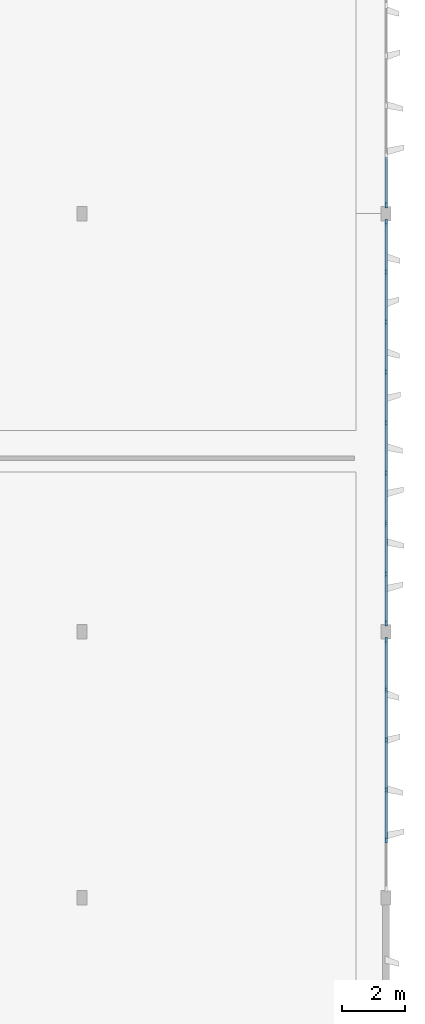
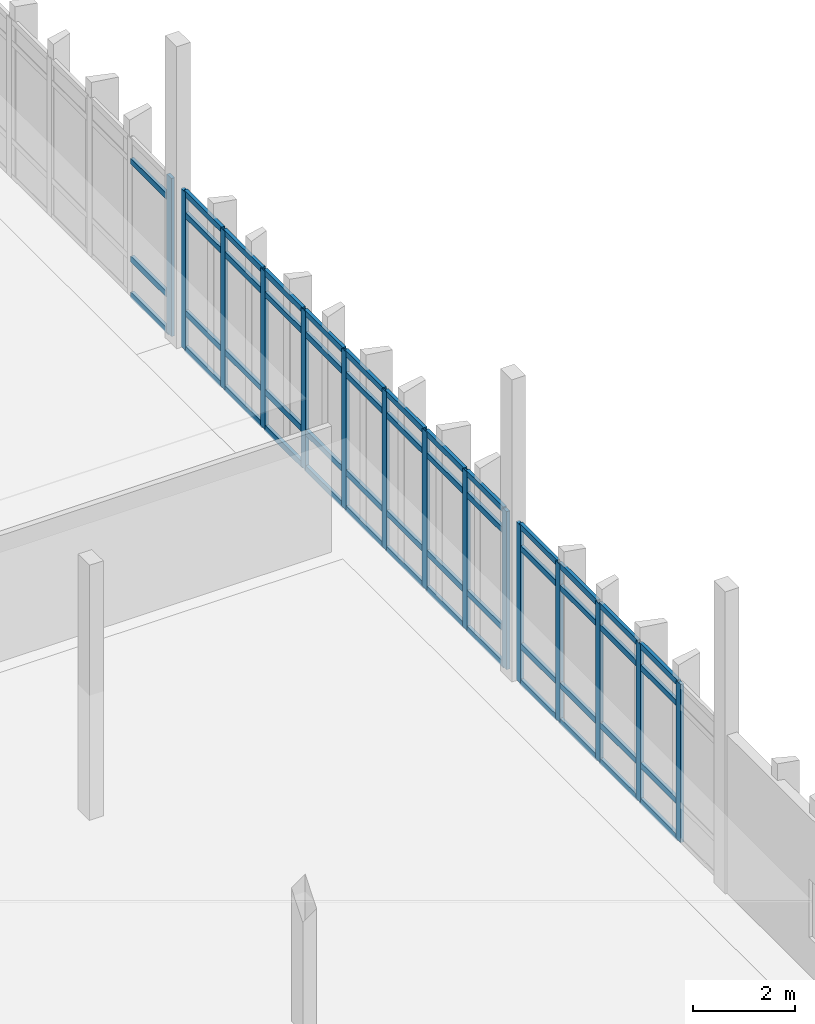
# One storey, part 26 of 61: 66 members, 3 elements without a shape of their own.
"""IFC4 building model written with IfcOpenShell, lengths in metres."""

from ifc_helpers import new_model, si_unit, direction, frame, origin, origin_2d, place, context, subcontext, project, spatial, rectangle, extrude, material, layer, layer_set, material_profile, profile_set, type_object, element, aggregate, save


model = new_model("IFC4")

# Units and contexts
model_context = context("Model", 3, precision=1e-05, world=origin(), true_north=direction((0.0, 1.0)))
body_context = subcontext(model_context, "Body", "Model", "MODEL_VIEW")
ifc_project = project(units=[si_unit("LENGTHUNIT", "METRE"), si_unit("AREAUNIT", "SQUARE_METRE"), si_unit("VOLUMEUNIT", "CUBIC_METRE"), si_unit("PLANEANGLEUNIT", "RADIAN"), si_unit("MASSUNIT", "GRAM", prefix="KILO")], contexts=[model_context])

# Site, building, storey
site_placement = place(None, origin())
site = spatial("IfcSite", under=ifc_project, at=site_placement, CompositionType="ELEMENT")
building_placement = place(site_placement, origin())
building = spatial("IfcBuilding", under=site, at=building_placement, Name="Kolvemor Railside Polytechnic", CompositionType="ELEMENT")
storey_placement = place(building_placement, frame((0.0, 0.0, 10.199951171875)))
storey = spatial("IfcBuildingStorey", under=building, at=storey_placement, Name="L02", CompositionType="ELEMENT", Elevation=10.199951171875)

# Curtain wall, members
ifc_material_1 = material(Name="Anodised marine aluminium and laminated low-E glass", Category="aluminium")
ifc_layer = layer(ifc_material_1, 0.179931640625, Name="CW-UNIT-STD")
ifc_layer_set = layer_set([ifc_layer], Name="Anodised marine aluminium and laminated low-E glass")
curtain_wall_type = type_object("IfcCurtainWallType", Name="CW-UNIT-STD", PredefinedType="USERDEFINED", material=ifc_layer_set)
curtain_wall_1_placement = place(storey_placement, origin())
curtain_wall_1 = element("IfcCurtainWall", 1, at=curtain_wall_1_placement, inside=storey, type_object=curtain_wall_type, Name="Curtain Wall L02-051", ObjectType="UNITISED CURTAIN WALL", PredefinedType="USERDEFINED")
ifc_material_2 = material(Name="Anodised marine aluminium 6063-T6", Category="aluminium")
ifc_material_profile_1 = material_profile(ifc_material_2, rectangle(XDim=0.074951171875, YDim=0.179931640625, at=origin_2d()), Name="CW-MUL-75x180")
ifc_profile_set_1 = profile_set([ifc_material_profile_1], Name="Anodised marine aluminium 6063-T6")
member_type_1 = type_object("IfcMemberType", Name="CWM-75x180", PredefinedType="MULLION", material=ifc_profile_set_1)
member_1_placement = place(storey_placement, frame((182.39990234375, 31.823974609375, 0.0), z_axis=(0.0, 0.0, 1.0), x_axis=(-1.0, 0.0, 0.0)))
member_1 = element("IfcMember", 2, at=member_1_placement, type_object=member_type_1, Name="CW-STD mullion 2", PredefinedType="MULLION", context=body_context, shape_type="SweptSolid", body=[
    extrude(rectangle(XDim=0.074951171875, YDim=0.179931640625, at=origin_2d()), origin(), (0.0, 0.0, 1.0), 3.800048828125),
])
member_2_placement = place(storey_placement, frame((182.39990234375, 33.407958984375, 0.0), z_axis=(0.0, 0.0, 1.0), x_axis=(-1.0, 0.0, 0.0)))
member_2 = element("IfcMember", 3, at=member_2_placement, type_object=member_type_1, Name="CW-STD mullion 3", PredefinedType="MULLION", context=body_context, shape_type="SweptSolid", body=[
    extrude(rectangle(XDim=0.074951171875, YDim=0.179931640625, at=origin_2d()), origin(), (0.0, 0.0, 1.0), 3.800048828125),
])
member_3_placement = place(storey_placement, frame((182.39990234375, 34.991943359375, 0.0), z_axis=(0.0, 0.0, 1.0), x_axis=(-1.0, 0.0, 0.0)))
member_3 = element("IfcMember", 4, at=member_3_placement, type_object=member_type_1, Name="CW-STD mullion 4", PredefinedType="MULLION", context=body_context, shape_type="SweptSolid", body=[
    extrude(rectangle(XDim=0.074951171875, YDim=0.179931640625, at=origin_2d()), origin(), (0.0, 0.0, 1.0), 3.800048828125),
])
member_4_placement = place(storey_placement, frame((182.39990234375, 36.575927734375, 0.0), z_axis=(0.0, 0.0, 1.0), x_axis=(-1.0, 0.0, 0.0)))
member_4 = element("IfcMember", 5, at=member_4_placement, type_object=member_type_1, Name="CW-STD mullion 5", PredefinedType="MULLION", context=body_context, shape_type="SweptSolid", body=[
    extrude(rectangle(XDim=0.074951171875, YDim=0.179931640625, at=origin_2d()), origin(), (0.0, 0.0, 1.0), 3.800048828125),
])
member_5_placement = place(storey_placement, frame((182.39990234375, 38.12255859375, 0.0), z_axis=(0.0, 0.0, 1.0), x_axis=(-1.0, 0.0, 0.0)))
member_5 = element("IfcMember", 6, at=member_5_placement, type_object=member_type_1, Name="CW-STD mullion 6", PredefinedType="MULLION", context=body_context, shape_type="SweptSolid", body=[
    extrude(rectangle(XDim=0.074951171875, YDim=0.179931640625, at=origin_2d()), origin(), (0.0, 0.0, 1.0), 3.800048828125),
])

curtain_wall_2_placement = place(storey_placement, origin())
curtain_wall_2 = element("IfcCurtainWall", 7, at=curtain_wall_2_placement, inside=storey, type_object=curtain_wall_type, Name="Curtain Wall L02-063", ObjectType="UNITISED CURTAIN WALL", PredefinedType="USERDEFINED")
member_6_placement = place(storey_placement, frame((182.39990234375, 38.677490234375, 0.0), z_axis=(0.0, 0.0, 1.0), x_axis=(-1.0, 0.0, 0.0)))
member_6 = element("IfcMember", 8, at=member_6_placement, type_object=member_type_1, Name="CW-STD mullion 1", PredefinedType="MULLION", context=body_context, shape_type="SweptSolid", body=[
    extrude(rectangle(XDim=0.074951171875, YDim=0.179931640625, at=origin_2d()), origin(), (0.0, 0.0, 1.0), 3.800048828125),
])
member_7_placement = place(storey_placement, frame((182.39990234375, 40.22998046875, 0.0), z_axis=(0.0, 0.0, 1.0), x_axis=(-1.0, 0.0, 0.0)))
member_7 = element("IfcMember", 9, at=member_7_placement, type_object=member_type_1, Name="CW-STD mullion 2", PredefinedType="MULLION", context=body_context, shape_type="SweptSolid", body=[
    extrude(rectangle(XDim=0.074951171875, YDim=0.179931640625, at=origin_2d()), origin(), (0.0, 0.0, 1.0), 3.800048828125),
])
member_8_placement = place(storey_placement, frame((182.39990234375, 41.820068359375, 0.0), z_axis=(0.0, 0.0, 1.0), x_axis=(-1.0, 0.0, 0.0)))
member_8 = element("IfcMember", 10, at=member_8_placement, type_object=member_type_1, Name="CW-STD mullion 3", PredefinedType="MULLION", context=body_context, shape_type="SweptSolid", body=[
    extrude(rectangle(XDim=0.074951171875, YDim=0.179931640625, at=origin_2d()), origin(), (0.0, 0.0, 1.0), 3.800048828125),
])
member_9_placement = place(storey_placement, frame((182.39990234375, 43.409912109375, 0.0), z_axis=(0.0, 0.0, 1.0), x_axis=(-1.0, 0.0, 0.0)))
member_9 = element("IfcMember", 11, at=member_9_placement, type_object=member_type_1, Name="CW-STD mullion 4", PredefinedType="MULLION", context=body_context, shape_type="SweptSolid", body=[
    extrude(rectangle(XDim=0.074951171875, YDim=0.179931640625, at=origin_2d()), origin(), (0.0, 0.0, 1.0), 3.800048828125),
])
member_10_placement = place(storey_placement, frame((182.39990234375, 45.0, 0.0), z_axis=(0.0, 0.0, 1.0), x_axis=(-1.0, 0.0, 0.0)))
member_10 = element("IfcMember", 12, at=member_10_placement, type_object=member_type_1, Name="CW-STD mullion 5", PredefinedType="MULLION", context=body_context, shape_type="SweptSolid", body=[
    extrude(rectangle(XDim=0.074951171875, YDim=0.179931640625, at=origin_2d()), origin(), (0.0, 0.0, 1.0), 3.800048828125),
])
member_11_placement = place(storey_placement, frame((182.39990234375, 46.590087890625, 0.0), z_axis=(0.0, 0.0, 1.0), x_axis=(-1.0, 0.0, 0.0)))
member_11 = element("IfcMember", 13, at=member_11_placement, type_object=member_type_1, Name="CW-STD mullion 6", PredefinedType="MULLION", context=body_context, shape_type="SweptSolid", body=[
    extrude(rectangle(XDim=0.074951171875, YDim=0.179931640625, at=origin_2d()), origin(), (0.0, 0.0, 1.0), 3.800048828125),
])
member_12_placement = place(storey_placement, frame((182.39990234375, 48.179931640625, 0.0), z_axis=(0.0, 0.0, 1.0), x_axis=(-1.0, 0.0, 0.0)))
member_12 = element("IfcMember", 14, at=member_12_placement, type_object=member_type_1, Name="CW-STD mullion 7", PredefinedType="MULLION", context=body_context, shape_type="SweptSolid", body=[
    extrude(rectangle(XDim=0.074951171875, YDim=0.179931640625, at=origin_2d()), origin(), (0.0, 0.0, 1.0), 3.800048828125),
])
member_13_placement = place(storey_placement, frame((182.39990234375, 49.77001953125, 0.0), z_axis=(0.0, 0.0, 1.0), x_axis=(-1.0, 0.0, 0.0)))
member_13 = element("IfcMember", 15, at=member_13_placement, type_object=member_type_1, Name="CW-STD mullion 8", PredefinedType="MULLION", context=body_context, shape_type="SweptSolid", body=[
    extrude(rectangle(XDim=0.074951171875, YDim=0.179931640625, at=origin_2d()), origin(), (0.0, 0.0, 1.0), 3.800048828125),
])
member_14_placement = place(storey_placement, frame((182.39990234375, 51.322509765625, 0.0), z_axis=(0.0, 0.0, 1.0), x_axis=(-1.0, 0.0, 0.0)))
member_14 = element("IfcMember", 16, at=member_14_placement, type_object=member_type_1, Name="CW-STD mullion 9", PredefinedType="MULLION", context=body_context, shape_type="SweptSolid", body=[
    extrude(rectangle(XDim=0.074951171875, YDim=0.179931640625, at=origin_2d()), origin(), (0.0, 0.0, 1.0), 3.800048828125),
])

# Curtain wall, member
curtain_wall_3_placement = place(storey_placement, origin())
curtain_wall_3 = element("IfcCurtainWall", 17, at=curtain_wall_3_placement, inside=storey, type_object=curtain_wall_type, Name="Curtain Wall L02-073", ObjectType="UNITISED CURTAIN WALL", PredefinedType="USERDEFINED")
member_15_placement = place(storey_placement, frame((182.39990234375, 51.87744140625, 0.0), z_axis=(0.0, 0.0, 1.0), x_axis=(-1.0, 0.0, 0.0)))
member_15 = element("IfcMember", 18, at=member_15_placement, type_object=member_type_1, Name="CW-STD mullion 1", PredefinedType="MULLION", context=body_context, shape_type="SweptSolid", body=[
    extrude(rectangle(XDim=0.074951171875, YDim=0.179931640625, at=origin_2d()), origin(), (0.0, 0.0, 1.0), 3.800048828125),
])

# Member
ifc_material_3 = material(Name="Anodised marine aluminium 6063-T6", Category="aluminium")
ifc_material_profile_2 = material_profile(ifc_material_3, rectangle(XDim=0.074951171875, YDim=0.139892578125, at=origin_2d()), Name="CW-TRN-75x140")
ifc_profile_set_2 = profile_set([ifc_material_profile_2], Name="Anodised marine aluminium 6063-T6")
member_type_2 = type_object("IfcMemberType", Name="CWT-75x140", PredefinedType="USERDEFINED", material=ifc_profile_set_2)
member_16_placement = place(storey_placement, frame((182.39990234375, 31.861572265625, 0.03759765625), z_axis=(0.0, 1.0, 0.0), x_axis=(-1.0, 0.0, 0.0)))
member_16 = element("IfcMember", 19, at=member_16_placement, type_object=member_type_2, Name="CW-STD transom 2.1", ObjectType="TRANSOM", PredefinedType="USERDEFINED", context=body_context, shape_type="SweptSolid", body=[
    extrude(rectangle(XDim=0.074951171875, YDim=0.139892578125, at=origin_2d()), origin(), (0.0, 0.0, 1.0), 1.509033203125),
])

member_17_placement = place(storey_placement, frame((182.39990234375, 31.861572265625, 0.900146484375), z_axis=(0.0, 1.0, 0.0), x_axis=(-1.0, 0.0, 0.0)))
member_17 = element("IfcMember", 20, at=member_17_placement, type_object=member_type_2, Name="CW-STD transom 2.2", ObjectType="TRANSOM", PredefinedType="USERDEFINED", context=body_context, shape_type="SweptSolid", body=[
    extrude(rectangle(XDim=0.074951171875, YDim=0.139892578125, at=origin_2d()), origin(), (0.0, 0.0, 1.0), 1.509033203125),
])

member_18_placement = place(storey_placement, frame((182.39990234375, 31.861572265625, 3.25), z_axis=(0.0, 1.0, 0.0), x_axis=(-1.0, 0.0, 0.0)))
member_18 = element("IfcMember", 21, at=member_18_placement, type_object=member_type_2, Name="CW-STD transom 2.3", ObjectType="TRANSOM", PredefinedType="USERDEFINED", context=body_context, shape_type="SweptSolid", body=[
    extrude(rectangle(XDim=0.074951171875, YDim=0.139892578125, at=origin_2d()), origin(), (0.0, 0.0, 1.0), 1.509033203125),
])

member_19_placement = place(storey_placement, frame((182.39990234375, 31.861572265625, 3.762451171875), z_axis=(0.0, 1.0, 0.0), x_axis=(-1.0, 0.0, 0.0)))
member_19 = element("IfcMember", 22, at=member_19_placement, type_object=member_type_2, Name="CW-STD transom 2.4", ObjectType="TRANSOM", PredefinedType="USERDEFINED", context=body_context, shape_type="SweptSolid", body=[
    extrude(rectangle(XDim=0.074951171875, YDim=0.139892578125, at=origin_2d()), origin(), (0.0, 0.0, 1.0), 1.509033203125),
])

member_20_placement = place(storey_placement, frame((182.39990234375, 33.445556640625, 0.03759765625), z_axis=(0.0, 1.0, 0.0), x_axis=(-1.0, 0.0, 0.0)))
member_20 = element("IfcMember", 23, at=member_20_placement, type_object=member_type_2, Name="CW-STD transom 3.1", ObjectType="TRANSOM", PredefinedType="USERDEFINED", context=body_context, shape_type="SweptSolid", body=[
    extrude(rectangle(XDim=0.074951171875, YDim=0.139892578125, at=origin_2d()), origin(), (0.0, 0.0, 1.0), 1.509033203125),
])

member_21_placement = place(storey_placement, frame((182.39990234375, 33.445556640625, 0.900146484375), z_axis=(0.0, 1.0, 0.0), x_axis=(-1.0, 0.0, 0.0)))
member_21 = element("IfcMember", 24, at=member_21_placement, type_object=member_type_2, Name="CW-STD transom 3.2", ObjectType="TRANSOM", PredefinedType="USERDEFINED", context=body_context, shape_type="SweptSolid", body=[
    extrude(rectangle(XDim=0.074951171875, YDim=0.139892578125, at=origin_2d()), origin(), (0.0, 0.0, 1.0), 1.509033203125),
])

member_22_placement = place(storey_placement, frame((182.39990234375, 33.445556640625, 3.25), z_axis=(0.0, 1.0, 0.0), x_axis=(-1.0, 0.0, 0.0)))
member_22 = element("IfcMember", 25, at=member_22_placement, type_object=member_type_2, Name="CW-STD transom 3.3", ObjectType="TRANSOM", PredefinedType="USERDEFINED", context=body_context, shape_type="SweptSolid", body=[
    extrude(rectangle(XDim=0.074951171875, YDim=0.139892578125, at=origin_2d()), origin(), (0.0, 0.0, 1.0), 1.509033203125),
])

member_23_placement = place(storey_placement, frame((182.39990234375, 33.445556640625, 3.762451171875), z_axis=(0.0, 1.0, 0.0), x_axis=(-1.0, 0.0, 0.0)))
member_23 = element("IfcMember", 26, at=member_23_placement, type_object=member_type_2, Name="CW-STD transom 3.4", ObjectType="TRANSOM", PredefinedType="USERDEFINED", context=body_context, shape_type="SweptSolid", body=[
    extrude(rectangle(XDim=0.074951171875, YDim=0.139892578125, at=origin_2d()), origin(), (0.0, 0.0, 1.0), 1.509033203125),
])

member_24_placement = place(storey_placement, frame((182.39990234375, 35.029541015625, 0.03759765625), z_axis=(0.0, 1.0, 0.0), x_axis=(-1.0, 0.0, 0.0)))
member_24 = element("IfcMember", 27, at=member_24_placement, type_object=member_type_2, Name="CW-STD transom 4.1", ObjectType="TRANSOM", PredefinedType="USERDEFINED", context=body_context, shape_type="SweptSolid", body=[
    extrude(rectangle(XDim=0.074951171875, YDim=0.139892578125, at=origin_2d()), origin(), (0.0, 0.0, 1.0), 1.509033203125),
])

member_25_placement = place(storey_placement, frame((182.39990234375, 35.029541015625, 0.900146484375), z_axis=(0.0, 1.0, 0.0), x_axis=(-1.0, 0.0, 0.0)))
member_25 = element("IfcMember", 28, at=member_25_placement, type_object=member_type_2, Name="CW-STD transom 4.2", ObjectType="TRANSOM", PredefinedType="USERDEFINED", context=body_context, shape_type="SweptSolid", body=[
    extrude(rectangle(XDim=0.074951171875, YDim=0.139892578125, at=origin_2d()), origin(), (0.0, 0.0, 1.0), 1.509033203125),
])

member_26_placement = place(storey_placement, frame((182.39990234375, 35.029541015625, 3.25), z_axis=(0.0, 1.0, 0.0), x_axis=(-1.0, 0.0, 0.0)))
member_26 = element("IfcMember", 29, at=member_26_placement, type_object=member_type_2, Name="CW-STD transom 4.3", ObjectType="TRANSOM", PredefinedType="USERDEFINED", context=body_context, shape_type="SweptSolid", body=[
    extrude(rectangle(XDim=0.074951171875, YDim=0.139892578125, at=origin_2d()), origin(), (0.0, 0.0, 1.0), 1.509033203125),
])

member_27_placement = place(storey_placement, frame((182.39990234375, 35.029541015625, 3.762451171875), z_axis=(0.0, 1.0, 0.0), x_axis=(-1.0, 0.0, 0.0)))
member_27 = element("IfcMember", 30, at=member_27_placement, type_object=member_type_2, Name="CW-STD transom 4.4", ObjectType="TRANSOM", PredefinedType="USERDEFINED", context=body_context, shape_type="SweptSolid", body=[
    extrude(rectangle(XDim=0.074951171875, YDim=0.139892578125, at=origin_2d()), origin(), (0.0, 0.0, 1.0), 1.509033203125),
])

member_28_placement = place(storey_placement, frame((182.39990234375, 36.613525390625, 0.03759765625), z_axis=(0.0, 1.0, 0.0), x_axis=(-1.0, 0.0, 0.0)))
member_28 = element("IfcMember", 31, at=member_28_placement, type_object=member_type_2, Name="CW-STD transom 5.1", ObjectType="TRANSOM", PredefinedType="USERDEFINED", context=body_context, shape_type="SweptSolid", body=[
    extrude(rectangle(XDim=0.074951171875, YDim=0.139892578125, at=origin_2d()), origin(), (0.0, 0.0, 1.0), 1.471435546875),
])

member_29_placement = place(storey_placement, frame((182.39990234375, 36.613525390625, 0.900146484375), z_axis=(0.0, 1.0, 0.0), x_axis=(-1.0, 0.0, 0.0)))
member_29 = element("IfcMember", 32, at=member_29_placement, type_object=member_type_2, Name="CW-STD transom 5.2", ObjectType="TRANSOM", PredefinedType="USERDEFINED", context=body_context, shape_type="SweptSolid", body=[
    extrude(rectangle(XDim=0.074951171875, YDim=0.139892578125, at=origin_2d()), origin(), (0.0, 0.0, 1.0), 1.471435546875),
])

member_30_placement = place(storey_placement, frame((182.39990234375, 36.613525390625, 3.25), z_axis=(0.0, 1.0, 0.0), x_axis=(-1.0, 0.0, 0.0)))
member_30 = element("IfcMember", 33, at=member_30_placement, type_object=member_type_2, Name="CW-STD transom 5.3", ObjectType="TRANSOM", PredefinedType="USERDEFINED", context=body_context, shape_type="SweptSolid", body=[
    extrude(rectangle(XDim=0.074951171875, YDim=0.139892578125, at=origin_2d()), origin(), (0.0, 0.0, 1.0), 1.471435546875),
])

member_31_placement = place(storey_placement, frame((182.39990234375, 36.613525390625, 3.762451171875), z_axis=(0.0, 1.0, 0.0), x_axis=(-1.0, 0.0, 0.0)))
member_31 = element("IfcMember", 34, at=member_31_placement, type_object=member_type_2, Name="CW-STD transom 5.4", ObjectType="TRANSOM", PredefinedType="USERDEFINED", context=body_context, shape_type="SweptSolid", body=[
    extrude(rectangle(XDim=0.074951171875, YDim=0.139892578125, at=origin_2d()), origin(), (0.0, 0.0, 1.0), 1.471435546875),
])

aggregate(curtain_wall_1, [member_1, member_2, member_3, member_4, member_5, member_16, member_17, member_18, member_19, member_20, member_21, member_22, member_23, member_24, member_25, member_26, member_27, member_28, member_29, member_30, member_31])

member_32_placement = place(storey_placement, frame((182.39990234375, 38.715087890625, 0.03759765625), z_axis=(0.0, 1.0, 0.0), x_axis=(-1.0, 0.0, 0.0)))
member_32 = element("IfcMember", 35, at=member_32_placement, type_object=member_type_2, Name="CW-STD transom 1.1", ObjectType="TRANSOM", PredefinedType="USERDEFINED", context=body_context, shape_type="SweptSolid", body=[
    extrude(rectangle(XDim=0.074951171875, YDim=0.139892578125, at=origin_2d()), origin(), (0.0, 0.0, 1.0), 1.477294921875),
])

member_33_placement = place(storey_placement, frame((182.39990234375, 38.715087890625, 0.900146484375), z_axis=(0.0, 1.0, 0.0), x_axis=(-1.0, 0.0, 0.0)))
member_33 = element("IfcMember", 36, at=member_33_placement, type_object=member_type_2, Name="CW-STD transom 1.2", ObjectType="TRANSOM", PredefinedType="USERDEFINED", context=body_context, shape_type="SweptSolid", body=[
    extrude(rectangle(XDim=0.074951171875, YDim=0.139892578125, at=origin_2d()), origin(), (0.0, 0.0, 1.0), 1.477294921875),
])

member_34_placement = place(storey_placement, frame((182.39990234375, 38.715087890625, 3.25), z_axis=(0.0, 1.0, 0.0), x_axis=(-1.0, 0.0, 0.0)))
member_34 = element("IfcMember", 37, at=member_34_placement, type_object=member_type_2, Name="CW-STD transom 1.3", ObjectType="TRANSOM", PredefinedType="USERDEFINED", context=body_context, shape_type="SweptSolid", body=[
    extrude(rectangle(XDim=0.074951171875, YDim=0.139892578125, at=origin_2d()), origin(), (0.0, 0.0, 1.0), 1.477294921875),
])

member_35_placement = place(storey_placement, frame((182.39990234375, 38.715087890625, 3.762451171875), z_axis=(0.0, 1.0, 0.0), x_axis=(-1.0, 0.0, 0.0)))
member_35 = element("IfcMember", 38, at=member_35_placement, type_object=member_type_2, Name="CW-STD transom 1.4", ObjectType="TRANSOM", PredefinedType="USERDEFINED", context=body_context, shape_type="SweptSolid", body=[
    extrude(rectangle(XDim=0.074951171875, YDim=0.139892578125, at=origin_2d()), origin(), (0.0, 0.0, 1.0), 1.477294921875),
])

member_36_placement = place(storey_placement, frame((182.39990234375, 40.267578125, 0.03759765625), z_axis=(0.0, 1.0, 0.0), x_axis=(-1.0, 0.0, 0.0)))
member_36 = element("IfcMember", 39, at=member_36_placement, type_object=member_type_2, Name="CW-STD transom 2.1", ObjectType="TRANSOM", PredefinedType="USERDEFINED", context=body_context, shape_type="SweptSolid", body=[
    extrude(rectangle(XDim=0.074951171875, YDim=0.139892578125, at=origin_2d()), origin(), (0.0, 0.0, 1.0), 1.514892578125),
])

member_37_placement = place(storey_placement, frame((182.39990234375, 40.267578125, 0.900146484375), z_axis=(0.0, 1.0, 0.0), x_axis=(-1.0, 0.0, 0.0)))
member_37 = element("IfcMember", 40, at=member_37_placement, type_object=member_type_2, Name="CW-STD transom 2.2", ObjectType="TRANSOM", PredefinedType="USERDEFINED", context=body_context, shape_type="SweptSolid", body=[
    extrude(rectangle(XDim=0.074951171875, YDim=0.139892578125, at=origin_2d()), origin(), (0.0, 0.0, 1.0), 1.514892578125),
])

member_38_placement = place(storey_placement, frame((182.39990234375, 40.267578125, 3.25), z_axis=(0.0, 1.0, 0.0), x_axis=(-1.0, 0.0, 0.0)))
member_38 = element("IfcMember", 41, at=member_38_placement, type_object=member_type_2, Name="CW-STD transom 2.3", ObjectType="TRANSOM", PredefinedType="USERDEFINED", context=body_context, shape_type="SweptSolid", body=[
    extrude(rectangle(XDim=0.074951171875, YDim=0.139892578125, at=origin_2d()), origin(), (0.0, 0.0, 1.0), 1.514892578125),
])

member_39_placement = place(storey_placement, frame((182.39990234375, 40.267578125, 3.762451171875), z_axis=(0.0, 1.0, 0.0), x_axis=(-1.0, 0.0, 0.0)))
member_39 = element("IfcMember", 42, at=member_39_placement, type_object=member_type_2, Name="CW-STD transom 2.4", ObjectType="TRANSOM", PredefinedType="USERDEFINED", context=body_context, shape_type="SweptSolid", body=[
    extrude(rectangle(XDim=0.074951171875, YDim=0.139892578125, at=origin_2d()), origin(), (0.0, 0.0, 1.0), 1.514892578125),
])

member_40_placement = place(storey_placement, frame((182.39990234375, 41.857421875, 0.03759765625), z_axis=(0.0, 1.0, 0.0), x_axis=(-1.0, 0.0, 0.0)))
member_40 = element("IfcMember", 43, at=member_40_placement, type_object=member_type_2, Name="CW-STD transom 3.1", ObjectType="TRANSOM", PredefinedType="USERDEFINED", context=body_context, shape_type="SweptSolid", body=[
    extrude(rectangle(XDim=0.074951171875, YDim=0.139892578125, at=origin_2d()), origin(), (0.0, 0.0, 1.0), 1.51513671875),
])

member_41_placement = place(storey_placement, frame((182.39990234375, 41.857421875, 0.900146484375), z_axis=(0.0, 1.0, 0.0), x_axis=(-1.0, 0.0, 0.0)))
member_41 = element("IfcMember", 44, at=member_41_placement, type_object=member_type_2, Name="CW-STD transom 3.2", ObjectType="TRANSOM", PredefinedType="USERDEFINED", context=body_context, shape_type="SweptSolid", body=[
    extrude(rectangle(XDim=0.074951171875, YDim=0.139892578125, at=origin_2d()), origin(), (0.0, 0.0, 1.0), 1.51513671875),
])

member_42_placement = place(storey_placement, frame((182.39990234375, 41.857421875, 3.25), z_axis=(0.0, 1.0, 0.0), x_axis=(-1.0, 0.0, 0.0)))
member_42 = element("IfcMember", 45, at=member_42_placement, type_object=member_type_2, Name="CW-STD transom 3.3", ObjectType="TRANSOM", PredefinedType="USERDEFINED", context=body_context, shape_type="SweptSolid", body=[
    extrude(rectangle(XDim=0.074951171875, YDim=0.139892578125, at=origin_2d()), origin(), (0.0, 0.0, 1.0), 1.51513671875),
])

member_43_placement = place(storey_placement, frame((182.39990234375, 41.857421875, 3.762451171875), z_axis=(0.0, 1.0, 0.0), x_axis=(-1.0, 0.0, 0.0)))
member_43 = element("IfcMember", 46, at=member_43_placement, type_object=member_type_2, Name="CW-STD transom 3.4", ObjectType="TRANSOM", PredefinedType="USERDEFINED", context=body_context, shape_type="SweptSolid", body=[
    extrude(rectangle(XDim=0.074951171875, YDim=0.139892578125, at=origin_2d()), origin(), (0.0, 0.0, 1.0), 1.51513671875),
])

member_44_placement = place(storey_placement, frame((182.39990234375, 43.447509765625, 0.03759765625), z_axis=(0.0, 1.0, 0.0), x_axis=(-1.0, 0.0, 0.0)))
member_44 = element("IfcMember", 47, at=member_44_placement, type_object=member_type_2, Name="CW-STD transom 4.1", ObjectType="TRANSOM", PredefinedType="USERDEFINED", context=body_context, shape_type="SweptSolid", body=[
    extrude(rectangle(XDim=0.074951171875, YDim=0.139892578125, at=origin_2d()), origin(), (0.0, 0.0, 1.0), 1.514892578125),
])

member_45_placement = place(storey_placement, frame((182.39990234375, 43.447509765625, 0.900146484375), z_axis=(0.0, 1.0, 0.0), x_axis=(-1.0, 0.0, 0.0)))
member_45 = element("IfcMember", 48, at=member_45_placement, type_object=member_type_2, Name="CW-STD transom 4.2", ObjectType="TRANSOM", PredefinedType="USERDEFINED", context=body_context, shape_type="SweptSolid", body=[
    extrude(rectangle(XDim=0.074951171875, YDim=0.139892578125, at=origin_2d()), origin(), (0.0, 0.0, 1.0), 1.514892578125),
])

member_46_placement = place(storey_placement, frame((182.39990234375, 43.447509765625, 3.25), z_axis=(0.0, 1.0, 0.0), x_axis=(-1.0, 0.0, 0.0)))
member_46 = element("IfcMember", 49, at=member_46_placement, type_object=member_type_2, Name="CW-STD transom 4.3", ObjectType="TRANSOM", PredefinedType="USERDEFINED", context=body_context, shape_type="SweptSolid", body=[
    extrude(rectangle(XDim=0.074951171875, YDim=0.139892578125, at=origin_2d()), origin(), (0.0, 0.0, 1.0), 1.514892578125),
])

member_47_placement = place(storey_placement, frame((182.39990234375, 43.447509765625, 3.762451171875), z_axis=(0.0, 1.0, 0.0), x_axis=(-1.0, 0.0, 0.0)))
member_47 = element("IfcMember", 50, at=member_47_placement, type_object=member_type_2, Name="CW-STD transom 4.4", ObjectType="TRANSOM", PredefinedType="USERDEFINED", context=body_context, shape_type="SweptSolid", body=[
    extrude(rectangle(XDim=0.074951171875, YDim=0.139892578125, at=origin_2d()), origin(), (0.0, 0.0, 1.0), 1.514892578125),
])

member_48_placement = place(storey_placement, frame((182.39990234375, 45.03759765625, 0.03759765625), z_axis=(0.0, 1.0, 0.0), x_axis=(-1.0, 0.0, 0.0)))
member_48 = element("IfcMember", 51, at=member_48_placement, type_object=member_type_2, Name="CW-STD transom 5.1", ObjectType="TRANSOM", PredefinedType="USERDEFINED", context=body_context, shape_type="SweptSolid", body=[
    extrude(rectangle(XDim=0.074951171875, YDim=0.139892578125, at=origin_2d()), origin(), (0.0, 0.0, 1.0), 1.514892578125),
])

member_49_placement = place(storey_placement, frame((182.39990234375, 45.03759765625, 0.900146484375), z_axis=(0.0, 1.0, 0.0), x_axis=(-1.0, 0.0, 0.0)))
member_49 = element("IfcMember", 52, at=member_49_placement, type_object=member_type_2, Name="CW-STD transom 5.2", ObjectType="TRANSOM", PredefinedType="USERDEFINED", context=body_context, shape_type="SweptSolid", body=[
    extrude(rectangle(XDim=0.074951171875, YDim=0.139892578125, at=origin_2d()), origin(), (0.0, 0.0, 1.0), 1.514892578125),
])

member_50_placement = place(storey_placement, frame((182.39990234375, 45.03759765625, 3.25), z_axis=(0.0, 1.0, 0.0), x_axis=(-1.0, 0.0, 0.0)))
member_50 = element("IfcMember", 53, at=member_50_placement, type_object=member_type_2, Name="CW-STD transom 5.3", ObjectType="TRANSOM", PredefinedType="USERDEFINED", context=body_context, shape_type="SweptSolid", body=[
    extrude(rectangle(XDim=0.074951171875, YDim=0.139892578125, at=origin_2d()), origin(), (0.0, 0.0, 1.0), 1.514892578125),
])

member_51_placement = place(storey_placement, frame((182.39990234375, 45.03759765625, 3.762451171875), z_axis=(0.0, 1.0, 0.0), x_axis=(-1.0, 0.0, 0.0)))
member_51 = element("IfcMember", 54, at=member_51_placement, type_object=member_type_2, Name="CW-STD transom 5.4", ObjectType="TRANSOM", PredefinedType="USERDEFINED", context=body_context, shape_type="SweptSolid", body=[
    extrude(rectangle(XDim=0.074951171875, YDim=0.139892578125, at=origin_2d()), origin(), (0.0, 0.0, 1.0), 1.514892578125),
])

member_52_placement = place(storey_placement, frame((182.39990234375, 46.62744140625, 0.03759765625), z_axis=(0.0, 1.0, 0.0), x_axis=(-1.0, 0.0, 0.0)))
member_52 = element("IfcMember", 55, at=member_52_placement, type_object=member_type_2, Name="CW-STD transom 6.1", ObjectType="TRANSOM", PredefinedType="USERDEFINED", context=body_context, shape_type="SweptSolid", body=[
    extrude(rectangle(XDim=0.074951171875, YDim=0.139892578125, at=origin_2d()), origin(), (0.0, 0.0, 1.0), 1.51513671875),
])

member_53_placement = place(storey_placement, frame((182.39990234375, 46.62744140625, 0.900146484375), z_axis=(0.0, 1.0, 0.0), x_axis=(-1.0, 0.0, 0.0)))
member_53 = element("IfcMember", 56, at=member_53_placement, type_object=member_type_2, Name="CW-STD transom 6.2", ObjectType="TRANSOM", PredefinedType="USERDEFINED", context=body_context, shape_type="SweptSolid", body=[
    extrude(rectangle(XDim=0.074951171875, YDim=0.139892578125, at=origin_2d()), origin(), (0.0, 0.0, 1.0), 1.51513671875),
])

member_54_placement = place(storey_placement, frame((182.39990234375, 46.62744140625, 3.25), z_axis=(0.0, 1.0, 0.0), x_axis=(-1.0, 0.0, 0.0)))
member_54 = element("IfcMember", 57, at=member_54_placement, type_object=member_type_2, Name="CW-STD transom 6.3", ObjectType="TRANSOM", PredefinedType="USERDEFINED", context=body_context, shape_type="SweptSolid", body=[
    extrude(rectangle(XDim=0.074951171875, YDim=0.139892578125, at=origin_2d()), origin(), (0.0, 0.0, 1.0), 1.51513671875),
])

member_55_placement = place(storey_placement, frame((182.39990234375, 46.62744140625, 3.762451171875), z_axis=(0.0, 1.0, 0.0), x_axis=(-1.0, 0.0, 0.0)))
member_55 = element("IfcMember", 58, at=member_55_placement, type_object=member_type_2, Name="CW-STD transom 6.4", ObjectType="TRANSOM", PredefinedType="USERDEFINED", context=body_context, shape_type="SweptSolid", body=[
    extrude(rectangle(XDim=0.074951171875, YDim=0.139892578125, at=origin_2d()), origin(), (0.0, 0.0, 1.0), 1.51513671875),
])

member_56_placement = place(storey_placement, frame((182.39990234375, 48.217529296875, 0.03759765625), z_axis=(0.0, 1.0, 0.0), x_axis=(-1.0, 0.0, 0.0)))
member_56 = element("IfcMember", 59, at=member_56_placement, type_object=member_type_2, Name="CW-STD transom 7.1", ObjectType="TRANSOM", PredefinedType="USERDEFINED", context=body_context, shape_type="SweptSolid", body=[
    extrude(rectangle(XDim=0.074951171875, YDim=0.139892578125, at=origin_2d()), origin(), (0.0, 0.0, 1.0), 1.514892578125),
])

member_57_placement = place(storey_placement, frame((182.39990234375, 48.217529296875, 0.900146484375), z_axis=(0.0, 1.0, 0.0), x_axis=(-1.0, 0.0, 0.0)))
member_57 = element("IfcMember", 60, at=member_57_placement, type_object=member_type_2, Name="CW-STD transom 7.2", ObjectType="TRANSOM", PredefinedType="USERDEFINED", context=body_context, shape_type="SweptSolid", body=[
    extrude(rectangle(XDim=0.074951171875, YDim=0.139892578125, at=origin_2d()), origin(), (0.0, 0.0, 1.0), 1.514892578125),
])

member_58_placement = place(storey_placement, frame((182.39990234375, 48.217529296875, 3.25), z_axis=(0.0, 1.0, 0.0), x_axis=(-1.0, 0.0, 0.0)))
member_58 = element("IfcMember", 61, at=member_58_placement, type_object=member_type_2, Name="CW-STD transom 7.3", ObjectType="TRANSOM", PredefinedType="USERDEFINED", context=body_context, shape_type="SweptSolid", body=[
    extrude(rectangle(XDim=0.074951171875, YDim=0.139892578125, at=origin_2d()), origin(), (0.0, 0.0, 1.0), 1.514892578125),
])

member_59_placement = place(storey_placement, frame((182.39990234375, 48.217529296875, 3.762451171875), z_axis=(0.0, 1.0, 0.0), x_axis=(-1.0, 0.0, 0.0)))
member_59 = element("IfcMember", 62, at=member_59_placement, type_object=member_type_2, Name="CW-STD transom 7.4", ObjectType="TRANSOM", PredefinedType="USERDEFINED", context=body_context, shape_type="SweptSolid", body=[
    extrude(rectangle(XDim=0.074951171875, YDim=0.139892578125, at=origin_2d()), origin(), (0.0, 0.0, 1.0), 1.514892578125),
])

member_60_placement = place(storey_placement, frame((182.39990234375, 49.8076171875, 0.03759765625), z_axis=(0.0, 1.0, 0.0), x_axis=(-1.0, 0.0, 0.0)))
member_60 = element("IfcMember", 63, at=member_60_placement, type_object=member_type_2, Name="CW-STD transom 8.1", ObjectType="TRANSOM", PredefinedType="USERDEFINED", context=body_context, shape_type="SweptSolid", body=[
    extrude(rectangle(XDim=0.074951171875, YDim=0.139892578125, at=origin_2d()), origin(), (0.0, 0.0, 1.0), 1.477294921875),
])

member_61_placement = place(storey_placement, frame((182.39990234375, 49.8076171875, 0.900146484375), z_axis=(0.0, 1.0, 0.0), x_axis=(-1.0, 0.0, 0.0)))
member_61 = element("IfcMember", 64, at=member_61_placement, type_object=member_type_2, Name="CW-STD transom 8.2", ObjectType="TRANSOM", PredefinedType="USERDEFINED", context=body_context, shape_type="SweptSolid", body=[
    extrude(rectangle(XDim=0.074951171875, YDim=0.139892578125, at=origin_2d()), origin(), (0.0, 0.0, 1.0), 1.477294921875),
])

member_62_placement = place(storey_placement, frame((182.39990234375, 49.8076171875, 3.25), z_axis=(0.0, 1.0, 0.0), x_axis=(-1.0, 0.0, 0.0)))
member_62 = element("IfcMember", 65, at=member_62_placement, type_object=member_type_2, Name="CW-STD transom 8.3", ObjectType="TRANSOM", PredefinedType="USERDEFINED", context=body_context, shape_type="SweptSolid", body=[
    extrude(rectangle(XDim=0.074951171875, YDim=0.139892578125, at=origin_2d()), origin(), (0.0, 0.0, 1.0), 1.477294921875),
])

member_63_placement = place(storey_placement, frame((182.39990234375, 49.8076171875, 3.762451171875), z_axis=(0.0, 1.0, 0.0), x_axis=(-1.0, 0.0, 0.0)))
member_63 = element("IfcMember", 66, at=member_63_placement, type_object=member_type_2, Name="CW-STD transom 8.4", ObjectType="TRANSOM", PredefinedType="USERDEFINED", context=body_context, shape_type="SweptSolid", body=[
    extrude(rectangle(XDim=0.074951171875, YDim=0.139892578125, at=origin_2d()), origin(), (0.0, 0.0, 1.0), 1.477294921875),
])

aggregate(curtain_wall_2, [member_6, member_7, member_8, member_9, member_10, member_11, member_12, member_13, member_14, member_32, member_33, member_34, member_35, member_36, member_37, member_38, member_39, member_40, member_41, member_42, member_43, member_44, member_45, member_46, member_47, member_48, member_49, member_50, member_51, member_52, member_53, member_54, member_55, member_56, member_57, member_58, member_59, member_60, member_61, member_62, member_63])

member_64_placement = place(storey_placement, frame((182.39990234375, 51.9150390625, 0.03759765625), z_axis=(0.0, 1.0, 0.0), x_axis=(-1.0, 0.0, 0.0)))
member_64 = element("IfcMember", 67, at=member_64_placement, type_object=member_type_2, Name="CW-STD transom 1.1", ObjectType="TRANSOM", PredefinedType="USERDEFINED", context=body_context, shape_type="SweptSolid", body=[
    extrude(rectangle(XDim=0.074951171875, YDim=0.139892578125, at=origin_2d()), origin(), (0.0, 0.0, 1.0), 1.471435546875),
])

member_65_placement = place(storey_placement, frame((182.39990234375, 51.9150390625, 0.900146484375), z_axis=(0.0, 1.0, 0.0), x_axis=(-1.0, 0.0, 0.0)))
member_65 = element("IfcMember", 68, at=member_65_placement, type_object=member_type_2, Name="CW-STD transom 1.2", ObjectType="TRANSOM", PredefinedType="USERDEFINED", context=body_context, shape_type="SweptSolid", body=[
    extrude(rectangle(XDim=0.074951171875, YDim=0.139892578125, at=origin_2d()), origin(), (0.0, 0.0, 1.0), 1.471435546875),
])

member_66_placement = place(storey_placement, frame((182.39990234375, 51.9150390625, 3.25), z_axis=(0.0, 1.0, 0.0), x_axis=(-1.0, 0.0, 0.0)))
member_66 = element("IfcMember", 69, at=member_66_placement, type_object=member_type_2, Name="CW-STD transom 1.3", ObjectType="TRANSOM", PredefinedType="USERDEFINED", context=body_context, shape_type="SweptSolid", body=[
    extrude(rectangle(XDim=0.074951171875, YDim=0.139892578125, at=origin_2d()), origin(), (0.0, 0.0, 1.0), 1.471435546875),
])

aggregate(curtain_wall_3, [member_15, member_64, member_65, member_66])

save(model, "model.ifc")
